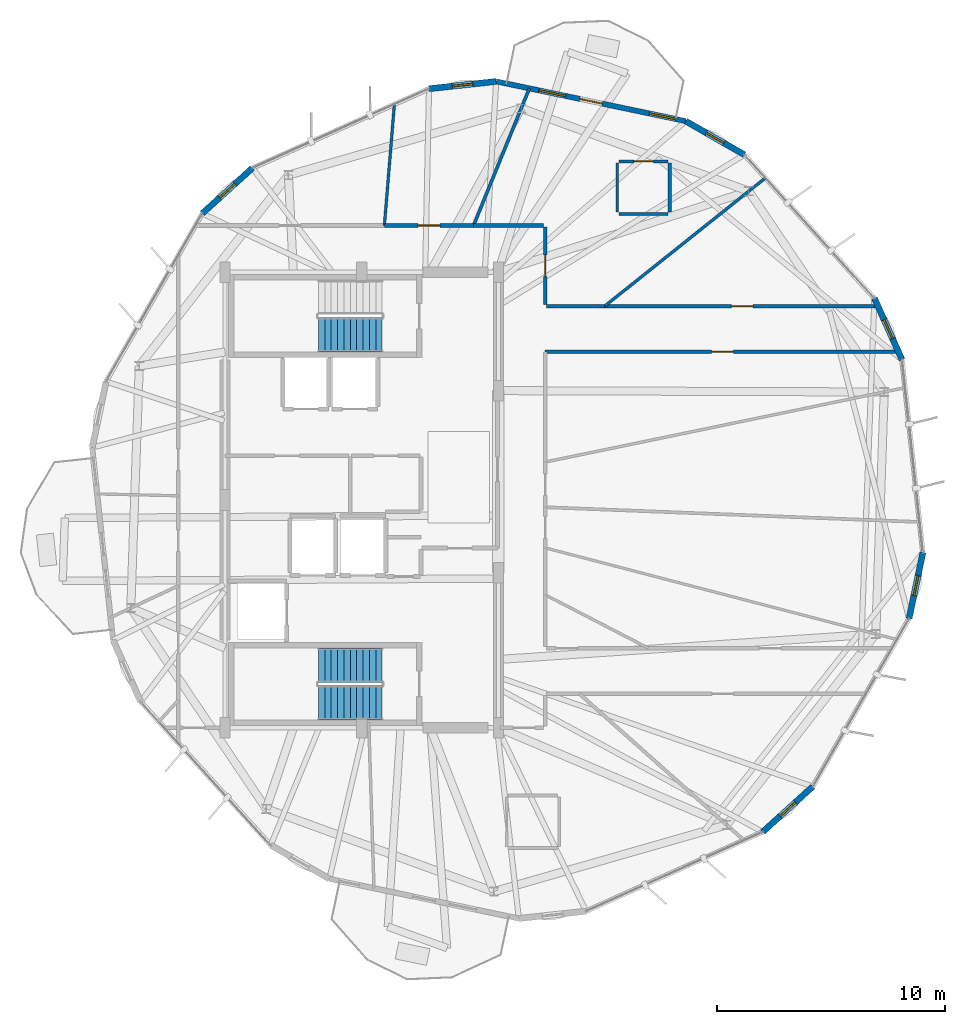
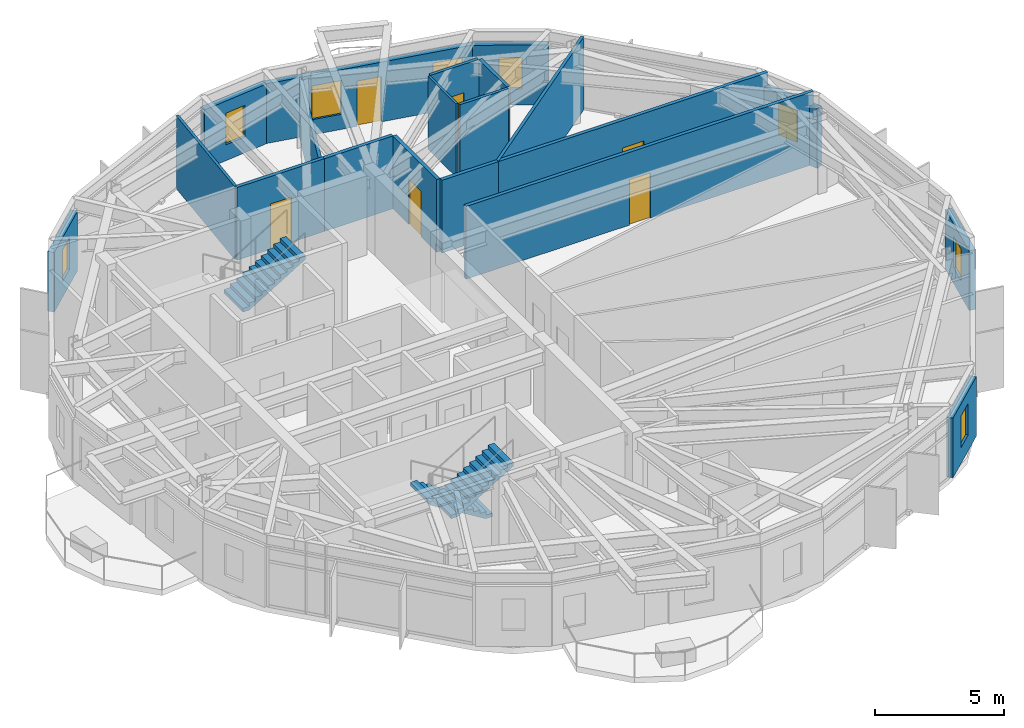
# One storey, part 19 of 23: 20 walls, 8 windows, 6 doors, 3 stair flights, 14 openings, 2 elements without a shape of their own.
"""IFC4 building model written with IfcOpenShell, lengths in metres."""

from ifc_helpers import new_model, si_unit, direction, frame, frame_2d, origin, place, context, subcontext, project, spatial, polyline, rectangle, outline, extrude, material, layer, layer_set, type_object, element, fill, aggregate, save


model = new_model("IFC4")

# Units and contexts
model_context = context("Model", 3, precision=1e-05, world=origin(), true_north=direction((0.0, 1.0)))
body_context = subcontext(model_context, "Body", "Model", "MODEL_VIEW")
ifc_project = project(units=[si_unit("LENGTHUNIT", "METRE"), si_unit("AREAUNIT", "SQUARE_METRE"), si_unit("VOLUMEUNIT", "CUBIC_METRE"), si_unit("PLANEANGLEUNIT", "RADIAN"), si_unit("MASSUNIT", "GRAM", prefix="KILO")], contexts=[model_context])

# Site, building, storey
site_placement = place(None, origin())
site = spatial("IfcSite", under=ifc_project, at=site_placement, CompositionType="ELEMENT")
building_placement = place(site_placement, origin())
building = spatial("IfcBuilding", under=site, at=building_placement, Name="Soratama Intermodal Tower", CompositionType="ELEMENT")
storey_placement = place(building_placement, frame((0.0, 0.0, 253.75)))
storey = spatial("IfcBuildingStorey", under=building, at=storey_placement, Name="L64", CompositionType="ELEMENT", Elevation=253.75)

# Wall, openings, door, windows
ifc_material_1 = material(Name="Concrete f'c 42 MPa", Category="concrete")
ifc_layer_1 = layer(ifc_material_1, 0.22998046875)
ifc_layer_set_1 = layer_set([ifc_layer_1], Name="Concrete f'c 42 MPa")
wall_type_1 = type_object("IfcWallType", Name="EW-BAL-230", PredefinedType="SOLIDWALL", material=ifc_layer_set_1)
wall_1_placement = place(storey_placement, frame((52.822265625, 41.630126953125, 0.0), z_axis=(0.0, 0.0, 1.0), x_axis=(-0.978792902195, 0.204852275096, 0.0)))
wall_1 = element("IfcWall", 1, at=wall_1_placement, inside=storey, type_object=wall_type_1, Name="L64 Terrace Wall F01", PredefinedType="SOLIDWALL", context=body_context, shape_type="SweptSolid", body=[
    extrude(rectangle(XDim=8.499755859375, YDim=0.22998046875, at=frame_2d((4.25, 0.0))), origin(), (0.0, 0.0, 1.0), 2.8291015625),
])
opening_1_placement = place(wall_1_placement, frame((3.75, 0.0, 0.0)))
opening_1 = element("IfcOpeningElement", 2, at=opening_1_placement, cuts=wall_1, Name="Opening ED-2", PredefinedType="OPENING", context=body_context, shape_type="SweptSolid", body=[
    extrude(rectangle(XDim=1.0, YDim=2.14990234375, at=frame_2d((0.5, 1.074951171875))), frame((0.0, 0.125, 0.0), z_axis=(0.0, -1.0, 0.0), x_axis=(1.0, 0.0, 0.0)), (0.0, 0.0, 1.0), 0.25),
])
opening_2_placement = place(wall_1_placement, frame((0.43994140625, 0.0, 0.719970703125)))
opening_2 = element("IfcOpeningElement", 3, at=opening_2_placement, cuts=wall_1, Name="Opening WN-2", PredefinedType="OPENING", context=body_context, shape_type="SweptSolid", body=[
    extrude(rectangle(XDim=1.199951171875, YDim=1.60009765625, at=frame_2d((0.60009765625, 0.800048828125))), frame((0.0, 0.125, 0.0), z_axis=(0.0, -1.0, 0.0), x_axis=(1.0, 0.0, 0.0)), (0.0, 0.0, 1.0), 0.25),
])
opening_3_placement = place(wall_1_placement, frame((5.389892578125, 0.0, 0.719970703125)))
opening_3 = element("IfcOpeningElement", 4, at=opening_3_placement, cuts=wall_1, Name="Opening WN-2", PredefinedType="OPENING", context=body_context, shape_type="SweptSolid", body=[
    extrude(rectangle(XDim=1.199951171875, YDim=1.60009765625, at=frame_2d((0.60009765625, 0.800048828125))), frame((0.0, 0.125, 0.0), z_axis=(0.0, -1.0, 0.0), x_axis=(1.0, 0.0, 0.0)), (0.0, 0.0, 1.0), 0.25),
])
ifc_material_2 = material(Name="Double-glazed aluminium door", Category="aluminium")
door_type_1 = type_object("IfcDoorType", Name="DR-BAL-1000", OperationType="NOTDEFINED", PredefinedType="DOOR", material=ifc_material_2)
door_1_placement = place(opening_1_placement, origin())
door_1 = element("IfcDoor", 5, at=door_1_placement, inside=storey, type_object=door_type_1, Name="L64 Balcony Door F01", OperationType="SINGLE_SWING_LEFT", OverallHeight=2.14990234375, OverallWidth=1.0, PredefinedType="DOOR", context=body_context, shape_type="SweptSolid", body=[
    extrude(rectangle(XDim=1.0, YDim=2.14990234375, at=frame_2d((0.5, 1.074951171875))), frame((0.0, 0.02490234375, 0.0), z_axis=(0.0, -1.0, 0.0), x_axis=(1.0, 0.0, 0.0)), (0.0, 0.0, 1.0), 0.050048828125),
])
fill(opening_1, door_1)
ifc_material_3 = material(Name="Double-glazed aluminium window", Category="aluminium")
window_type_1 = type_object("IfcWindowType", Name="WN-FAC-1200", PartitioningType="SINGLE_PANEL", PredefinedType="WINDOW", material=ifc_material_3)
window_1_placement = place(opening_2_placement, origin())
window_1 = element("IfcWindow", 6, at=window_1_placement, inside=storey, type_object=window_type_1, Name="L64 Window A F01", OverallHeight=1.60009765625, OverallWidth=1.199951171875, PartitioningType="SINGLE_PANEL", PredefinedType="WINDOW", context=body_context, shape_type="SweptSolid", body=[
    extrude(rectangle(XDim=1.199951171875, YDim=1.60009765625, at=frame_2d((0.60009765625, 0.800048828125))), frame((0.0, 0.030029296875, 0.0), z_axis=(0.0, -1.0, 0.0), x_axis=(1.0, 0.0, 0.0)), (0.0, 0.0, 1.0), 0.06005859375),
])
fill(opening_2, window_1)
window_2_placement = place(opening_3_placement, origin())
window_2 = element("IfcWindow", 7, at=window_2_placement, inside=storey, type_object=window_type_1, Name="L64 Window B F01", OverallHeight=1.60009765625, OverallWidth=1.199951171875, PartitioningType="SINGLE_PANEL", PredefinedType="WINDOW", context=body_context, shape_type="SweptSolid", body=[
    extrude(rectangle(XDim=1.199951171875, YDim=1.60009765625, at=frame_2d((0.60009765625, 0.800048828125))), frame((0.0, 0.030029296875, 0.0), z_axis=(0.0, -1.0, 0.0), x_axis=(1.0, 0.0, 0.0)), (0.0, 0.0, 1.0), 0.06005859375),
])
fill(opening_3, window_2)

# Wall, opening, window
ifc_material_4 = material(Name="Concrete f'c 42 MPa", Category="concrete")
ifc_layer_2 = layer(ifc_material_4, 0.27001953125)
ifc_layer_set_2 = layer_set([ifc_layer_2], Name="Concrete f'c 42 MPa")
wall_type_2 = type_object("IfcWallType", Name="EW-CRN-270", PredefinedType="SOLIDWALL", material=ifc_layer_set_2)
wall_2_placement = place(storey_placement, frame((44.502685546875, 43.371337890625, 0.0), z_axis=(0.0, 0.0, 1.0), x_axis=(-0.994188969029, -0.107648938037, 0.0)))
wall_2 = element("IfcWall", 8, at=wall_2_placement, inside=storey, type_object=wall_type_2, Name="L64 Corner Closure Wall 01", PredefinedType="SOLIDWALL", context=body_context, shape_type="SweptSolid", body=[
    extrude(rectangle(XDim=2.966552734375, YDim=0.27001953125, at=frame_2d((1.4833984375, 0.0))), origin(), (0.0, 0.0, 1.0), 2.8291015625),
])
opening_4_placement = place(wall_2_placement, frame((1.033203125, 0.0, 0.75)))
opening_4 = element("IfcOpeningElement", 9, at=opening_4_placement, cuts=wall_2, Name="Opening WN-6", PredefinedType="OPENING", context=body_context, shape_type="SweptSolid", body=[
    extrude(rectangle(XDim=0.89990234375, YDim=1.5, at=frame_2d((0.449951171875, 0.75))), frame((0.0, 0.14501953125, 0.0), z_axis=(0.0, -1.0, 0.0), x_axis=(1.0, 0.0, 0.0)), (0.0, 0.0, 1.0), 0.2900390625),
])
ifc_material_5 = material(Name="Double-glazed aluminium window", Category="aluminium")
window_type_2 = type_object("IfcWindowType", Name="WN-FAC-900", PartitioningType="SINGLE_PANEL", PredefinedType="WINDOW", material=ifc_material_5)
window_3_placement = place(opening_4_placement, origin())
window_3 = element("IfcWindow", 10, at=window_3_placement, inside=storey, type_object=window_type_2, Name="L64 Corner Window 01", OverallHeight=1.5, OverallWidth=0.89990234375, PartitioningType="SINGLE_PANEL", PredefinedType="WINDOW", context=body_context, shape_type="SweptSolid", body=[
    extrude(rectangle(XDim=0.89990234375, YDim=1.5, at=frame_2d((0.449951171875, 0.75))), frame((0.0, 0.030029296875, 0.0), z_axis=(0.0, -1.0, 0.0), x_axis=(1.0, 0.0, 0.0)), (0.0, 0.0, 1.0), 0.06005859375),
])
fill(opening_4, window_3)

wall_3_placement = place(storey_placement, frame((33.79931640625, 39.5703125, 0.0), z_axis=(0.0, 0.0, 1.0), x_axis=(-0.741022782564, -0.671479884822, 0.0)))
wall_3 = element("IfcWall", 11, at=wall_3_placement, inside=storey, type_object=wall_type_2, Name="L64 Corner Closure Wall 02", PredefinedType="SOLIDWALL", context=body_context, shape_type="SweptSolid", body=[
    extrude(rectangle(XDim=2.966552734375, YDim=0.27001953125, at=frame_2d((1.4833984375, 0.0))), origin(), (0.0, 0.0, 1.0), 2.8291015625),
])
opening_5_placement = place(wall_3_placement, frame((1.033203125, 0.0, 0.75)))
opening_5 = element("IfcOpeningElement", 12, at=opening_5_placement, cuts=wall_3, Name="Opening WN-6", PredefinedType="OPENING", context=body_context, shape_type="SweptSolid", body=[
    extrude(rectangle(XDim=0.89990234375, YDim=1.5, at=frame_2d((0.449951171875, 0.75))), frame((0.0, 0.14501953125, 0.0), z_axis=(0.0, -1.0, 0.0), x_axis=(1.0, 0.0, 0.0)), (0.0, 0.0, 1.0), 0.2900390625),
])
window_4_placement = place(opening_5_placement, origin())
window_4 = element("IfcWindow", 13, at=window_4_placement, inside=storey, type_object=window_type_2, Name="L64 Corner Window 02", OverallHeight=1.5, OverallWidth=0.89990234375, PartitioningType="SINGLE_PANEL", PredefinedType="WINDOW", context=body_context, shape_type="SweptSolid", body=[
    extrude(rectangle(XDim=0.89990234375, YDim=1.5, at=frame_2d((0.449951171875, 0.75))), frame((0.0, 0.030029296875, 0.0), z_axis=(0.0, -1.0, 0.0), x_axis=(1.0, 0.0, 0.0)), (0.0, 0.0, 1.0), 0.06005859375),
])
fill(opening_5, window_4)

wall_4_placement = place(storey_placement, frame((56.20068359375, 10.4296875, 0.0), z_axis=(0.0, 0.0, 1.0), x_axis=(0.741022782564, 0.671479884822, 0.0)))
wall_4 = element("IfcWall", 14, at=wall_4_placement, inside=storey, type_object=wall_type_2, Name="L64 Corner Closure Wall 07", PredefinedType="SOLIDWALL", context=body_context, shape_type="SweptSolid", body=[
    extrude(rectangle(XDim=2.966552734375, YDim=0.27001953125, at=frame_2d((1.4833984375, 0.0))), origin(), (0.0, 0.0, 1.0), 2.8291015625),
])
opening_6_placement = place(wall_4_placement, frame((1.033203125, 0.0, 0.75)))
opening_6 = element("IfcOpeningElement", 15, at=opening_6_placement, cuts=wall_4, Name="Opening WN-6", PredefinedType="OPENING", context=body_context, shape_type="SweptSolid", body=[
    extrude(rectangle(XDim=0.89990234375, YDim=1.5, at=frame_2d((0.449951171875, 0.75))), frame((0.0, 0.14501953125, 0.0), z_axis=(0.0, -1.0, 0.0), x_axis=(1.0, 0.0, 0.0)), (0.0, 0.0, 1.0), 0.2900390625),
])
window_5_placement = place(opening_6_placement, origin())
window_5 = element("IfcWindow", 16, at=window_5_placement, inside=storey, type_object=window_type_2, Name="L64 Corner Window 07", OverallHeight=1.5, OverallWidth=0.89990234375, PartitioningType="SINGLE_PANEL", PredefinedType="WINDOW", context=body_context, shape_type="SweptSolid", body=[
    extrude(rectangle(XDim=0.89990234375, YDim=1.5, at=frame_2d((0.449951171875, 0.75))), frame((0.0, 0.030029296875, 0.0), z_axis=(0.0, -1.0, 0.0), x_axis=(1.0, 0.0, 0.0)), (0.0, 0.0, 1.0), 0.06005859375),
])
fill(opening_6, window_5)

wall_5_placement = place(storey_placement, frame((62.625732421875, 19.7958984375, 0.0), z_axis=(0.0, 0.0, 1.0), x_axis=(0.204828317867, 0.978797915915, 0.0)))
wall_5 = element("IfcWall", 17, at=wall_5_placement, inside=storey, type_object=wall_type_2, Name="L64 Corner Closure Wall 08", PredefinedType="SOLIDWALL", context=body_context, shape_type="SweptSolid", body=[
    extrude(rectangle(XDim=2.966796875, YDim=0.27001953125, at=frame_2d((1.4833984375, 0.0))), origin(), (0.0, 0.0, 1.0), 2.8291015625),
])
opening_7_placement = place(wall_5_placement, frame((1.033203125, 0.0, 0.75)))
opening_7 = element("IfcOpeningElement", 18, at=opening_7_placement, cuts=wall_5, Name="Opening WN-6", PredefinedType="OPENING", context=body_context, shape_type="SweptSolid", body=[
    extrude(rectangle(XDim=0.89990234375, YDim=1.5, at=frame_2d((0.449951171875, 0.75))), frame((0.0, 0.14501953125, 0.0), z_axis=(0.0, -1.0, 0.0), x_axis=(1.0, 0.0, 0.0)), (0.0, 0.0, 1.0), 0.2900390625),
])
window_6_placement = place(opening_7_placement, origin())
window_6 = element("IfcWindow", 19, at=window_6_placement, inside=storey, type_object=window_type_2, Name="L64 Corner Window 08", OverallHeight=1.5, OverallWidth=0.89990234375, PartitioningType="SINGLE_PANEL", PredefinedType="WINDOW", context=body_context, shape_type="SweptSolid", body=[
    extrude(rectangle(XDim=0.89990234375, YDim=1.5, at=frame_2d((0.449951171875, 0.75))), frame((0.0, 0.030029296875, 0.0), z_axis=(0.0, -1.0, 0.0), x_axis=(1.0, 0.0, 0.0)), (0.0, 0.0, 1.0), 0.06005859375),
])
fill(opening_7, window_6)

wall_6_placement = place(storey_placement, frame((62.318359375, 31.14990234375, 0.0), z_axis=(0.0, 0.0, 1.0), x_axis=(-0.40959459615, 0.912267650859, 0.0)))
wall_6 = element("IfcWall", 20, at=wall_6_placement, inside=storey, type_object=wall_type_2, Name="L64 Corner Closure Wall 09", PredefinedType="SOLIDWALL", context=body_context, shape_type="SweptSolid", body=[
    extrude(rectangle(XDim=2.966552734375, YDim=0.27001953125, at=frame_2d((1.4833984375, 0.0))), origin(), (0.0, 0.0, 1.0), 2.8291015625),
])
opening_8_placement = place(wall_6_placement, frame((1.033203125, 0.0, 0.75)))
opening_8 = element("IfcOpeningElement", 21, at=opening_8_placement, cuts=wall_6, Name="Opening WN-6", PredefinedType="OPENING", context=body_context, shape_type="SweptSolid", body=[
    extrude(rectangle(XDim=0.89990234375, YDim=1.5, at=frame_2d((0.449951171875, 0.75))), frame((0.0, 0.14501953125, 0.0), z_axis=(0.0, -1.0, 0.0), x_axis=(1.0, 0.0, 0.0)), (0.0, 0.0, 1.0), 0.2900390625),
])
window_7_placement = place(opening_8_placement, origin())
window_7 = element("IfcWindow", 22, at=window_7_placement, inside=storey, type_object=window_type_2, Name="L64 Corner Window 09", OverallHeight=1.5, OverallWidth=0.89990234375, PartitioningType="SINGLE_PANEL", PredefinedType="WINDOW", context=body_context, shape_type="SweptSolid", body=[
    extrude(rectangle(XDim=0.89990234375, YDim=1.5, at=frame_2d((0.449951171875, 0.75))), frame((0.0, 0.030029296875, 0.0), z_axis=(0.0, -1.0, 0.0), x_axis=(1.0, 0.0, 0.0)), (0.0, 0.0, 1.0), 0.06005859375),
])
fill(opening_8, window_7)

wall_7_placement = place(storey_placement, frame((55.39599609375, 40.155029296875, 0.0), z_axis=(0.0, 0.0, 1.0), x_axis=(-0.867604284104, 0.497255272677, 0.0)))
wall_7 = element("IfcWall", 23, at=wall_7_placement, inside=storey, type_object=wall_type_2, Name="L64 Corner Closure Wall 10", PredefinedType="SOLIDWALL", context=body_context, shape_type="SweptSolid", body=[
    extrude(rectangle(XDim=2.966552734375, YDim=0.27001953125, at=frame_2d((1.4833984375, 0.0))), origin(), (0.0, 0.0, 1.0), 2.8291015625),
])
opening_9_placement = place(wall_7_placement, frame((1.033203125, 0.0, 0.75)))
opening_9 = element("IfcOpeningElement", 24, at=opening_9_placement, cuts=wall_7, Name="Opening WN-6", PredefinedType="OPENING", context=body_context, shape_type="SweptSolid", body=[
    extrude(rectangle(XDim=0.89990234375, YDim=1.5, at=frame_2d((0.449951171875, 0.75))), frame((0.0, 0.14501953125, 0.0), z_axis=(0.0, -1.0, 0.0), x_axis=(1.0, 0.0, 0.0)), (0.0, 0.0, 1.0), 0.2900390625),
])
window_8_placement = place(opening_9_placement, origin())
window_8 = element("IfcWindow", 25, at=window_8_placement, inside=storey, type_object=window_type_2, Name="L64 Corner Window 10", OverallHeight=1.5, OverallWidth=0.89990234375, PartitioningType="SINGLE_PANEL", PredefinedType="WINDOW", context=body_context, shape_type="SweptSolid", body=[
    extrude(rectangle(XDim=0.89990234375, YDim=1.5, at=frame_2d((0.449951171875, 0.75))), frame((0.0, 0.030029296875, 0.0), z_axis=(0.0, -1.0, 0.0), x_axis=(1.0, 0.0, 0.0)), (0.0, 0.0, 1.0), 0.06005859375),
])
fill(opening_9, window_8)

# Wall, opening, door
ifc_material_6 = material(Name="Fire-rated gypsum stud partition", Category="concrete")
ifc_layer_3 = layer(ifc_material_6, 0.159912109375)
ifc_layer_set_3 = layer_set([ifc_layer_3], Name="Fire-rated gypsum stud partition")
wall_type_3 = type_object("IfcWallType", Name="IW-PART-R160", PredefinedType="PARTITIONING", material=ifc_layer_set_3)
wall_8_placement = place(storey_placement, frame((62.222900390625, 31.5, 0.0), z_axis=(0.0, 0.0, 1.0), x_axis=(-1.0, 0.0, 0.0)))
wall_8 = element("IfcWall", 26, at=wall_8_placement, inside=storey, type_object=wall_type_3, Name="L64 Partition W-L64-TP004", PredefinedType="PARTITIONING", context=body_context, shape_type="SweptSolid", body=[
    extrude(rectangle(XDim=15.572998046875, YDim=0.159912109375, at=frame_2d((7.78662109375, 0.0))), origin(), (0.0, 0.0, 1.0), 3.449951171875),
])
opening_10_placement = place(wall_8_placement, frame((7.31201171875, 0.0, 0.0)))
opening_10 = element("IfcOpeningElement", 27, at=opening_10_placement, cuts=wall_8, Name="Opening ID-3", PredefinedType="OPENING", context=body_context, shape_type="SweptSolid", body=[
    extrude(rectangle(XDim=0.949951171875, YDim=2.14990234375, at=frame_2d((0.47509765625, 1.074951171875))), frame((0.0, 0.08984375, 0.0), z_axis=(0.0, -1.0, 0.0), x_axis=(1.0, 0.0, 0.0)), (0.0, 0.0, 1.0), 0.179931640625),
])
ifc_material_7 = material(Name="Solid hardwood acoustic door", Category="wood")
door_type_2 = type_object("IfcDoorType", Name="DR-ROOM-950", OperationType="NOTDEFINED", PredefinedType="DOOR", material=ifc_material_7)
door_2_placement = place(opening_10_placement, origin())
door_2 = element("IfcDoor", 28, at=door_2_placement, inside=storey, type_object=door_type_2, Name="L64 Door D-L64-TP001", OperationType="SINGLE_SWING_RIGHT", OverallHeight=2.14990234375, OverallWidth=0.949951171875, PredefinedType="DOOR", context=body_context, shape_type="SweptSolid", body=[
    extrude(rectangle(XDim=0.949951171875, YDim=2.14990234375, at=frame_2d((0.47509765625, 1.074951171875))), frame((0.0, 0.02490234375, 0.0), z_axis=(0.0, -1.0, 0.0), x_axis=(1.0, 0.0, 0.0)), (0.0, 0.0, 1.0), 0.050048828125),
])
fill(opening_10, door_2)

wall_9_placement = place(storey_placement, frame((49.25390625, 33.5, 0.0), z_axis=(0.0, 0.0, 1.0), x_axis=(1.0, 0.0, 0.0)))
wall_9 = element("IfcWall", 29, at=wall_9_placement, inside=storey, type_object=wall_type_3, Name="L64 Partition W-L64-TP006", PredefinedType="PARTITIONING", context=body_context, shape_type="SweptSolid", body=[
    extrude(rectangle(XDim=12.08203125, YDim=0.159912109375, at=frame_2d((6.041015625, 0.0))), origin(), (0.0, 0.0, 1.0), 3.449951171875),
])
opening_11_placement = place(wall_9_placement, frame((5.56591796875, 0.0, 0.0)))
opening_11 = element("IfcOpeningElement", 30, at=opening_11_placement, cuts=wall_9, Name="Opening ID-3", PredefinedType="OPENING", context=body_context, shape_type="SweptSolid", body=[
    extrude(rectangle(XDim=0.949951171875, YDim=2.14990234375, at=frame_2d((0.47509765625, 1.074951171875))), frame((0.0, 0.08984375, 0.0), z_axis=(0.0, -1.0, 0.0), x_axis=(1.0, 0.0, 0.0)), (0.0, 0.0, 1.0), 0.179931640625),
])
door_3_placement = place(opening_11_placement, origin())
door_3 = element("IfcDoor", 31, at=door_3_placement, inside=storey, type_object=door_type_2, Name="L64 Door D-L64-TP003", OperationType="SINGLE_SWING_RIGHT", OverallHeight=2.14990234375, OverallWidth=0.949951171875, PredefinedType="DOOR", context=body_context, shape_type="SweptSolid", body=[
    extrude(rectangle(XDim=0.949951171875, YDim=2.14990234375, at=frame_2d((0.47509765625, 1.074951171875))), frame((0.0, 0.02490234375, 0.0), z_axis=(0.0, -1.0, 0.0), x_axis=(1.0, 0.0, 0.0)), (0.0, 0.0, 1.0), 0.050048828125),
])
fill(opening_11, door_3)

wall_10_placement = place(storey_placement, frame((39.594970703125, 37.050048828125, 0.0), z_axis=(0.0, 0.0, 1.0), x_axis=(1.0, 0.0, 0.0)))
wall_10 = element("IfcWall", 32, at=wall_10_placement, inside=storey, type_object=wall_type_3, Name="L64 Partition W-L64-TP022", PredefinedType="PARTITIONING", context=body_context, shape_type="SweptSolid", body=[
    extrude(rectangle(XDim=3.9130859375, YDim=0.159912109375, at=frame_2d((1.95654296875, 0.0))), origin(), (0.0, 0.0, 1.0), 3.449951171875),
])
opening_12_placement = place(wall_10_placement, frame((1.48193359375, 0.0, 0.0)))
opening_12 = element("IfcOpeningElement", 33, at=opening_12_placement, cuts=wall_10, Name="Opening ID-3", PredefinedType="OPENING", context=body_context, shape_type="SweptSolid", body=[
    extrude(rectangle(XDim=0.949951171875, YDim=2.14990234375, at=frame_2d((0.47509765625, 1.074951171875))), frame((0.0, 0.08984375, 0.0), z_axis=(0.0, -1.0, 0.0), x_axis=(1.0, 0.0, 0.0)), (0.0, 0.0, 1.0), 0.179931640625),
])
door_4_placement = place(opening_12_placement, origin())
door_4 = element("IfcDoor", 34, at=door_4_placement, inside=storey, type_object=door_type_2, Name="L64 Door D-L64-TP012", OperationType="SINGLE_SWING_LEFT", OverallHeight=2.14990234375, OverallWidth=0.949951171875, PredefinedType="DOOR", context=body_context, shape_type="SweptSolid", body=[
    extrude(rectangle(XDim=0.949951171875, YDim=2.14990234375, at=frame_2d((0.47509765625, 1.074951171875))), frame((0.0, 0.02490234375, 0.0), z_axis=(0.0, -1.0, 0.0), x_axis=(1.0, 0.0, 0.0)), (0.0, 0.0, 1.0), 0.050048828125),
])
fill(opening_12, door_4)

wall_11_placement = place(storey_placement, frame((46.64990234375, 36.97998046875, 0.0), z_axis=(0.0, 0.0, 1.0), x_axis=(0.0, -1.0, 0.0)))
wall_11 = element("IfcWall", 35, at=wall_11_placement, inside=storey, type_object=wall_type_3, Name="L64 Partition W-L64-TP024", PredefinedType="PARTITIONING", context=body_context, shape_type="SweptSolid", body=[
    extrude(rectangle(XDim=3.409912109375, YDim=0.159912109375, at=frame_2d((1.705078125, 0.0))), origin(), (0.0, 0.0, 1.0), 3.449951171875),
])
opening_13_placement = place(wall_11_placement, frame((1.22998046875, 0.0, 0.0)))
opening_13 = element("IfcOpeningElement", 36, at=opening_13_placement, cuts=wall_11, Name="Opening ID-3", PredefinedType="OPENING", context=body_context, shape_type="SweptSolid", body=[
    extrude(rectangle(XDim=0.949951171875, YDim=2.14990234375, at=frame_2d((0.47509765625, 1.074951171875))), frame((0.0, 0.08984375, 0.0), z_axis=(0.0, -1.0, 0.0), x_axis=(1.0, 0.0, 0.0)), (0.0, 0.0, 1.0), 0.179931640625),
])
door_5_placement = place(opening_13_placement, origin())
door_5 = element("IfcDoor", 37, at=door_5_placement, inside=storey, type_object=door_type_2, Name="L64 Door D-L64-TP013", OperationType="SINGLE_SWING_RIGHT", OverallHeight=2.14990234375, OverallWidth=0.949951171875, PredefinedType="DOOR", context=body_context, shape_type="SweptSolid", body=[
    extrude(rectangle(XDim=0.949951171875, YDim=2.14990234375, at=frame_2d((0.47509765625, 1.074951171875))), frame((0.0, 0.02490234375, 0.0), z_axis=(0.0, -1.0, 0.0), x_axis=(1.0, 0.0, 0.0)), (0.0, 0.0, 1.0), 0.050048828125),
])
fill(opening_13, door_5)

# Walls
wall_12_placement = place(storey_placement, frame((43.508056640625, 37.050048828125, 0.0), z_axis=(0.0, 0.0, 1.0), x_axis=(1.0, 0.0, 0.0)))
element("IfcWall", 38, at=wall_12_placement, inside=storey, type_object=wall_type_3, Name="L64 Partition W-L64-TP027", PredefinedType="PARTITIONING", context=body_context, shape_type="SweptSolid", body=[
    extrude(rectangle(XDim=3.072021484375, YDim=0.159912109375, at=frame_2d((1.5361328125, 0.0))), origin(), (0.0, 0.0, 1.0), 3.449951171875),
])
wall_13_placement = place(storey_placement, frame((46.719970703125, 33.5, 0.0), z_axis=(0.0, 0.0, 1.0), x_axis=(1.0, 0.0, 0.0)))
element("IfcWall", 39, at=wall_13_placement, inside=storey, type_object=wall_type_3, Name="L64 Partition W-L64-TP031", PredefinedType="PARTITIONING", context=body_context, shape_type="SweptSolid", body=[
    extrude(rectangle(XDim=2.533935546875, YDim=0.159912109375, at=frame_2d((1.26708984375, 0.0))), origin(), (0.0, 0.0, 1.0), 3.449951171875),
])
ifc_material_8 = material(Name="Fire-rated gypsum stud partition", Category="concrete")
ifc_layer_4 = layer(ifc_material_8, 0.10009765625)
ifc_layer_set_4 = layer_set([ifc_layer_4], Name="Fire-rated gypsum stud partition")
wall_type_4 = type_object("IfcWallType", Name="IW-PART-S100", PredefinedType="PARTITIONING", material=ifc_layer_set_4)
wall_14_placement = place(storey_placement, frame((49.821044921875, 39.791015625, 0.0), z_axis=(0.0, 0.0, 1.0), x_axis=(0.0, -1.0, 0.0)))
element("IfcWall", 40, at=wall_14_placement, inside=storey, type_object=wall_type_4, Name="L64 Partition W-L64-TP038", PredefinedType="PARTITIONING", context=body_context, shape_type="SweptSolid", body=[
    extrude(rectangle(XDim=2.159912109375, YDim=0.10009765625, at=frame_2d((1.080078125, 0.0))), origin(), (0.0, 0.0, 1.0), 3.449951171875),
])
ifc_material_9 = material(Name="Fire-rated gypsum stud partition", Category="concrete")
ifc_layer_5 = layer(ifc_material_9, 0.1201171875)
ifc_layer_set_5 = layer_set([ifc_layer_5], Name="Fire-rated gypsum stud partition")
wall_type_5 = type_object("IfcWallType", Name="IW-PART-S120", PredefinedType="PARTITIONING", material=ifc_layer_set_5)
wall_15_placement = place(storey_placement, frame((39.594970703125, 37.050048828125, 0.0), z_axis=(0.0, 0.0, 1.0), x_axis=(0.082231683065, 0.996613240079, 0.0)))
element("IfcWall", 41, at=wall_15_placement, inside=storey, type_object=wall_type_5, Name="L64 Partition W-L64-TP016", PredefinedType="PARTITIONING", context=body_context, shape_type="SweptSolid", body=[
    extrude(rectangle(XDim=5.338134765625, YDim=0.1201171875, at=frame_2d((2.6689453125, 0.0))), origin(), (0.0, 0.0, 1.0), 3.449951171875),
])
ifc_material_10 = material(Name="Fire-rated gypsum stud partition", Category="concrete")
ifc_layer_6 = layer(ifc_material_10, 0.1298828125)
ifc_layer_set_6 = layer_set([ifc_layer_6], Name="Fire-rated gypsum stud partition")
wall_type_6 = type_object("IfcWallType", Name="IW-PART-S130", PredefinedType="PARTITIONING", material=ifc_layer_set_6)
wall_16_placement = place(storey_placement, frame((49.25390625, 33.5, 0.0), z_axis=(0.0, 0.0, 1.0), x_axis=(0.781740382818, 0.623604020089, 0.0)))
element("IfcWall", 42, at=wall_16_placement, inside=storey, type_object=wall_type_6, Name="L64 Partition W-L64-TP010", PredefinedType="PARTITIONING", context=body_context, shape_type="SweptSolid", body=[
    extrude(rectangle(XDim=9.037841796875, YDim=0.1298828125, at=frame_2d((4.51904296875, 0.0))), origin(), (0.0, 0.0, 1.0), 3.449951171875),
])
wall_17_placement = place(storey_placement, frame((49.89111328125, 37.56103515625, 0.0), z_axis=(0.0, 0.0, 1.0), x_axis=(1.0, 0.0, 0.0)))
element("IfcWall", 43, at=wall_17_placement, inside=storey, type_object=wall_type_6, Name="L64 Partition W-L64-TP035", PredefinedType="PARTITIONING", context=body_context, shape_type="SweptSolid", body=[
    extrude(rectangle(XDim=2.159912109375, YDim=0.1298828125, at=frame_2d((1.080078125, 0.0))), origin(), (0.0, 0.0, 1.0), 3.449951171875),
])
ifc_material_11 = material(Name="Fire-rated gypsum stud partition", Category="concrete")
ifc_layer_7 = layer(ifc_material_11, 0.139892578125)
ifc_layer_set_7 = layer_set([ifc_layer_7], Name="Fire-rated gypsum stud partition")
wall_type_7 = type_object("IfcWallType", Name="IW-PART-S140", PredefinedType="PARTITIONING", material=ifc_layer_set_7)
wall_18_placement = place(storey_placement, frame((43.508056640625, 37.050048828125, 0.0), z_axis=(0.0, 0.0, 1.0), x_axis=(0.377117821417, 0.926165292359, 0.0)))
element("IfcWall", 44, at=wall_18_placement, inside=storey, type_object=wall_type_7, Name="L64 Partition W-L64-TP014", PredefinedType="PARTITIONING", context=body_context, shape_type="SweptSolid", body=[
    extrude(rectangle(XDim=6.49658203125, YDim=0.139892578125, at=frame_2d((3.248291015625, 0.0))), origin(), (0.0, 0.0, 1.0), 2.7451171875),
])

# Wall, opening, door
wall_19_placement = place(storey_placement, frame((52.051025390625, 39.861083984375, 0.0), z_axis=(0.0, 0.0, 1.0), x_axis=(-1.0, 0.0, 0.0)))
wall_19 = element("IfcWall", 45, at=wall_19_placement, inside=storey, type_object=wall_type_7, Name="L64 Partition W-L64-TP034", PredefinedType="PARTITIONING", context=body_context, shape_type="SweptSolid", body=[
    extrude(rectangle(XDim=2.159912109375, YDim=0.139892578125, at=frame_2d((1.080078125, 0.0))), origin(), (0.0, 0.0, 1.0), 3.449951171875),
])
opening_14_placement = place(wall_19_placement, frame((0.655029296875, 0.0, 0.0)))
opening_14 = element("IfcOpeningElement", 46, at=opening_14_placement, cuts=wall_19, Name="Opening ID-4", PredefinedType="OPENING", context=body_context, shape_type="SweptSolid", body=[
    extrude(rectangle(XDim=0.85009765625, YDim=2.10009765625, at=frame_2d((0.425048828125, 1.050048828125))), frame((0.0, 0.079833984375, 0.0), z_axis=(0.0, -1.0, 0.0), x_axis=(1.0, 0.0, 0.0)), (0.0, 0.0, 1.0), 0.159912109375),
])
ifc_material_12 = material(Name="Solid hardwood acoustic door", Category="wood")
door_type_3 = type_object("IfcDoorType", Name="DR-BATH-850", OperationType="NOTDEFINED", PredefinedType="DOOR", material=ifc_material_12)
door_6_placement = place(opening_14_placement, origin())
door_6 = element("IfcDoor", 47, at=door_6_placement, inside=storey, type_object=door_type_3, Name="L64 Door D-L64-TP017", OperationType="SINGLE_SWING_RIGHT", OverallHeight=2.10009765625, OverallWidth=0.85009765625, PredefinedType="DOOR", context=body_context, shape_type="SweptSolid", body=[
    extrude(rectangle(XDim=0.85009765625, YDim=2.10009765625, at=frame_2d((0.425048828125, 1.050048828125))), frame((0.0, 0.02490234375, 0.0), z_axis=(0.0, -1.0, 0.0), x_axis=(1.0, 0.0, 0.0)), (0.0, 0.0, 1.0), 0.050048828125),
])
fill(opening_14, door_6)

# Wall
wall_20_placement = place(storey_placement, frame((52.12109375, 37.631103515625, 0.0), z_axis=(0.0, 0.0, 1.0), x_axis=(0.0, 1.0, 0.0)))
element("IfcWall", 48, at=wall_20_placement, inside=storey, type_object=wall_type_7, Name="L64 Partition W-L64-TP039", PredefinedType="PARTITIONING", context=body_context, shape_type="SweptSolid", body=[
    extrude(rectangle(XDim=2.159912109375, YDim=0.139892578125, at=frame_2d((1.080078125, 0.0))), origin(), (0.0, 0.0, 1.0), 3.449951171875),
])

# Stair, stair flights
ifc_material_13 = material(Name="Concrete f'c 42 MPa", Category="concrete")
stair_type = type_object("IfcStairType", Name="ST-CORE-DOGLEG", PredefinedType="HALF_TURN_STAIR", material=ifc_material_13)
stair_1_placement = place(storey_placement, origin())
stair_1 = element("IfcStair", 49, at=stair_1_placement, inside=storey, type_object=stair_type, Name="L64 ST-1", PredefinedType="HALF_TURN_STAIR")
ifc_material_14 = material(Name="Precast concrete f'c 40 MPa", Category="concrete")
ifc_layer_8 = layer(ifc_material_14, 0.199951171875)
ifc_layer_set_8 = layer_set([ifc_layer_8], Name="Precast concrete f'c 40 MPa")
stair_flight_type = type_object("IfcStairFlightType", Name="SF-FLIGHT-RC", PredefinedType="STRAIGHT", material=ifc_layer_set_8)
stair_flight_1_placement = place(storey_placement, frame((39.5, 17.75, 0.0), z_axis=(0.0, 0.0, 1.0), x_axis=(-1.0, 0.0, 0.0)))
stair_flight_1 = element("IfcStairFlight", 50, at=stair_flight_1_placement, type_object=stair_flight_type, Name="ST-1 flight 1", NumberOfRisers=11, NumberOfTreads=10, PredefinedType="STRAIGHT", RiserHeight=0.170454545, TreadLength=0.28, context=body_context, shape_type="SweptSolid", body=[
    extrude(outline(polyline([(0.0, 0.0), (0.0, 0.17041015625), (0.280029296875, 0.17041015625), (0.280029296875, 0.3408203125), (0.56005859375, 0.3408203125), (0.56005859375, 0.511474609375), (0.840087890625, 0.511474609375), (0.840087890625, 0.681884765625), (1.1201171875, 0.681884765625), (1.1201171875, 0.852294921875), (1.39990234375, 0.852294921875), (1.39990234375, 1.022705078125), (1.679931640625, 1.022705078125), (1.679931640625, 1.193115234375), (1.9599609375, 1.193115234375), (1.9599609375, 1.363525390625), (2.239990234375, 1.363525390625), (2.239990234375, 1.5341796875), (2.52001953125, 1.5341796875), (2.52001953125, 1.70458984375), (2.800048828125, 1.70458984375), (2.800048828125, 1.875), (2.800048828125, 1.529052734375), (0.288330078125, 0.0), (0.0, 0.0)])), frame((0.0, 0.75, 0.0), z_axis=(0.0, -1.0, 0.0), x_axis=(1.0, 0.0, 0.0)), (0.0, 0.0, 1.0), 1.5),
])
stair_flight_2_placement = place(storey_placement, frame((36.699951171875, 16.10009765625, 1.875), z_axis=(0.0, 0.0, 1.0), x_axis=(1.0, 0.0, 0.0)))
stair_flight_2 = element("IfcStairFlight", 51, at=stair_flight_2_placement, type_object=stair_flight_type, Name="ST-1 flight 2", NumberOfRisers=11, NumberOfTreads=10, PredefinedType="STRAIGHT", RiserHeight=0.170454545, TreadLength=0.28, context=body_context, shape_type="SweptSolid", body=[
    extrude(outline(polyline([(0.0, 0.0), (0.0, 0.17041015625), (0.280029296875, 0.17041015625), (0.280029296875, 0.3408203125), (0.56005859375, 0.3408203125), (0.56005859375, 0.511474609375), (0.840087890625, 0.511474609375), (0.840087890625, 0.681884765625), (1.1201171875, 0.681884765625), (1.1201171875, 0.852294921875), (1.39990234375, 0.852294921875), (1.39990234375, 1.022705078125), (1.679931640625, 1.022705078125), (1.679931640625, 1.193115234375), (1.9599609375, 1.193115234375), (1.9599609375, 1.363525390625), (2.239990234375, 1.363525390625), (2.239990234375, 1.5341796875), (2.52001953125, 1.5341796875), (2.52001953125, 1.70458984375), (2.800048828125, 1.70458984375), (2.800048828125, 1.875), (2.800048828125, 1.529052734375), (0.288330078125, 0.0), (0.0, 0.0)])), frame((0.0, 0.75, 0.0), z_axis=(0.0, -1.0, 0.0), x_axis=(1.0, 0.0, 0.0)), (0.0, 0.0, 1.0), 1.5),
])
aggregate(stair_1, [stair_flight_1, stair_flight_2])

# Stair, stair flight
stair_2_placement = place(storey_placement, origin())
stair_2 = element("IfcStair", 52, at=stair_2_placement, inside=storey, type_object=stair_type, Name="L64 ST-2", PredefinedType="HALF_TURN_STAIR")
stair_flight_3_placement = place(storey_placement, frame((36.699951171875, 32.25, 1.875), z_axis=(0.0, 0.0, 1.0), x_axis=(1.0, 0.0, 0.0)))
stair_flight_3 = element("IfcStairFlight", 53, at=stair_flight_3_placement, type_object=stair_flight_type, Name="ST-2 flight 2", NumberOfRisers=11, NumberOfTreads=10, PredefinedType="STRAIGHT", RiserHeight=0.170454545, TreadLength=0.28, context=body_context, shape_type="SweptSolid", body=[
    extrude(outline(polyline([(0.0, 0.0), (0.0, 0.17041015625), (0.280029296875, 0.17041015625), (0.280029296875, 0.3408203125), (0.56005859375, 0.3408203125), (0.56005859375, 0.511474609375), (0.840087890625, 0.511474609375), (0.840087890625, 0.681884765625), (1.1201171875, 0.681884765625), (1.1201171875, 0.852294921875), (1.39990234375, 0.852294921875), (1.39990234375, 1.022705078125), (1.679931640625, 1.022705078125), (1.679931640625, 1.193115234375), (1.9599609375, 1.193115234375), (1.9599609375, 1.363525390625), (2.239990234375, 1.363525390625), (2.239990234375, 1.5341796875), (2.52001953125, 1.5341796875), (2.52001953125, 1.70458984375), (2.800048828125, 1.70458984375), (2.800048828125, 1.875), (2.800048828125, 1.529052734375), (0.288330078125, 0.0), (0.0, 0.0)])), frame((0.0, 0.75, 0.0), z_axis=(0.0, -1.0, 0.0), x_axis=(1.0, 0.0, 0.0)), (0.0, 0.0, 1.0), 1.5),
])
aggregate(stair_2, [stair_flight_3])

save(model, "model.ifc")
